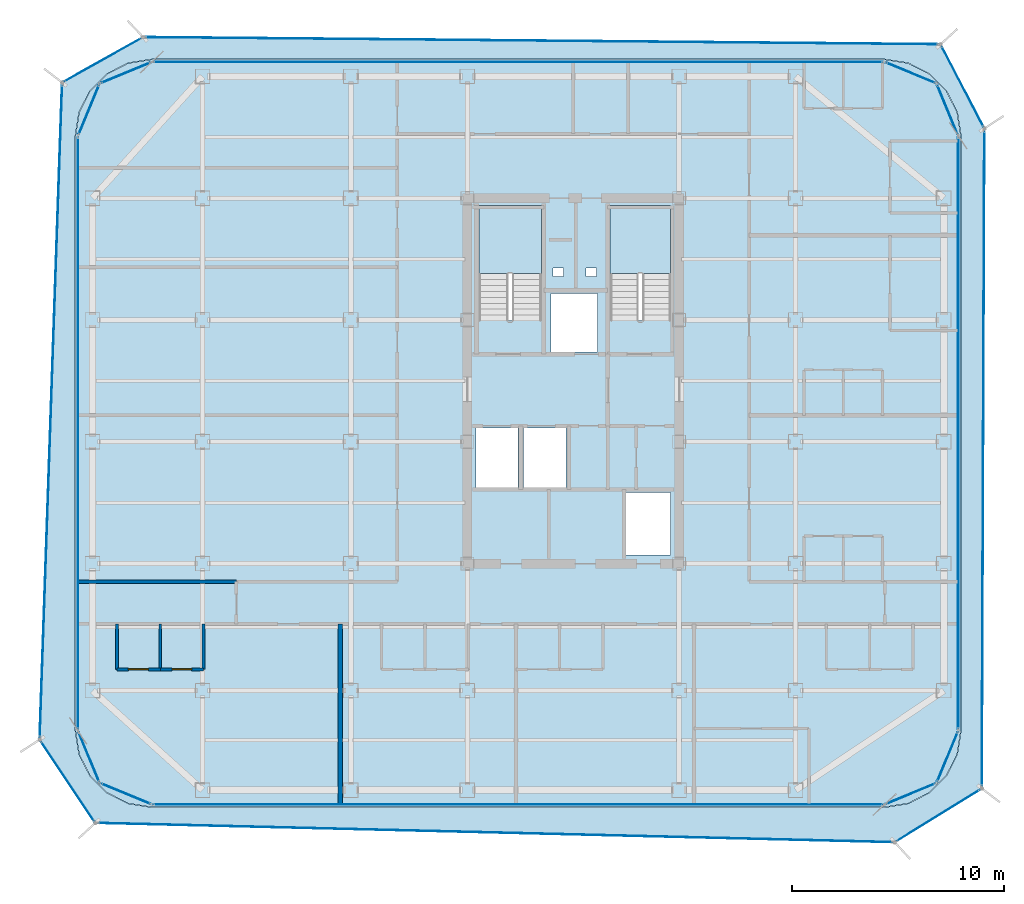
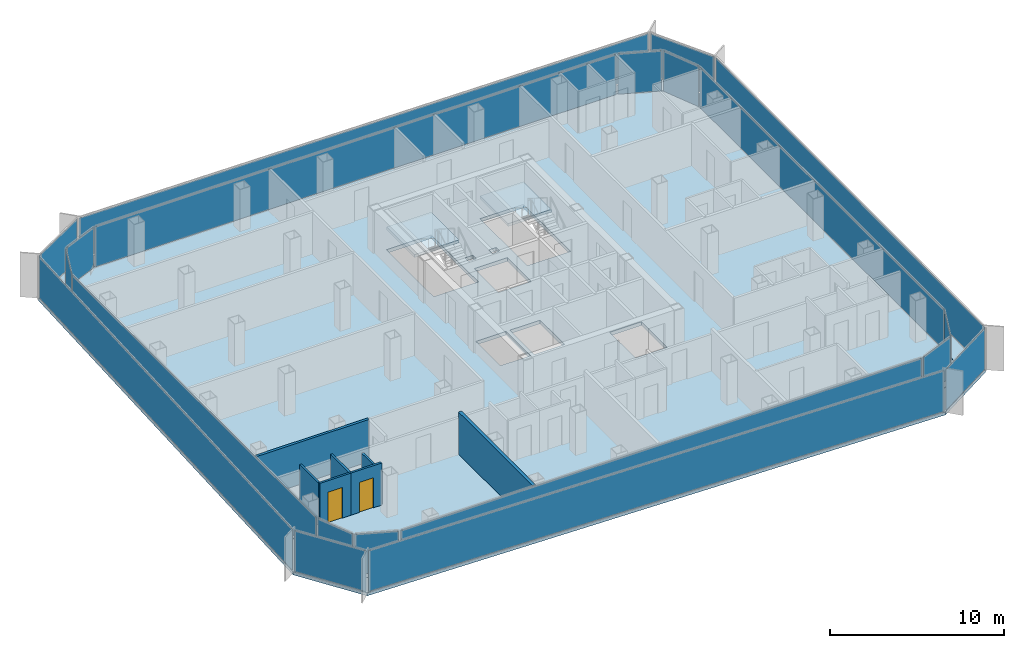
# One storey, part 9 of 15: 20 plates, 7 walls, 4 slabs, 2 doors, 2 openings, 22 elements without a shape of their own.
"""IFC4 building model written with IfcOpenShell, lengths in metres."""

from ifc_helpers import new_model, si_unit, direction, frame, frame_2d, origin, origin_2d, place, context, subcontext, project, spatial, polyline, rectangle, outline, extrude, source, transform, mapped, material, layer, layer_set, type_object, element, fill, aggregate, save


model = new_model("IFC4")

# Units and contexts
model_context = context("Model", 3, precision=1e-05, world=origin(), true_north=direction((0.0, 1.0)))
body_context = subcontext(model_context, "Body", "Model", "MODEL_VIEW")
ifc_project = project(units=[si_unit("LENGTHUNIT", "METRE"), si_unit("AREAUNIT", "SQUARE_METRE"), si_unit("VOLUMEUNIT", "CUBIC_METRE"), si_unit("PLANEANGLEUNIT", "RADIAN"), si_unit("MASSUNIT", "GRAM", prefix="KILO")], contexts=[model_context])

# Site, building, storey
site_placement = place(None, origin())
site = spatial("IfcSite", under=ifc_project, at=site_placement, CompositionType="ELEMENT")
building_placement = place(site_placement, origin())
building = spatial("IfcBuilding", under=site, at=building_placement, Name="Kolveth Station Tower", CompositionType="ELEMENT")
storey_placement = place(building_placement, frame((0.0, 0.0, 165.699951171875)))
storey = spatial("IfcBuildingStorey", under=building, at=storey_placement, Name="L46", CompositionType="ELEMENT", Elevation=165.699951171875)

# Slab
ifc_material_1 = material(Name="Concrete C40/50", Category="concrete")
ifc_layer_1 = layer(ifc_material_1, 0.25)
ifc_layer_set_1 = layer_set([ifc_layer_1], Name="Concrete C40/50")
slab_type_1 = type_object("IfcSlabType", Name="Slab_SF-250", PredefinedType="FLOOR", material=ifc_layer_set_1)
slab_1_placement = place(storey_placement, frame((0.0, 0.0, -0.25)))
element("IfcSlab", 1, at=slab_1_placement, inside=storey, type_object=slab_type_1, Name="L46 Tower Structural Floor Slab", PredefinedType="FLOOR", context=body_context, shape_type="SweptSolid", body=[
    extrude(outline(polyline([(38.199951171875, 0.0), (39.3125, 0.17626953125), (40.31591796875, 0.6875), (41.112548828125, 1.48388671875), (41.623779296875, 2.487548828125), (41.800048828125, 3.60009765625), (41.800048828125, 31.699951171875), (41.623779296875, 32.8125), (41.112548828125, 33.81591796875), (40.31591796875, 34.612548828125), (39.3125, 35.123779296875), (38.199951171875, 35.300048828125), (3.60009765625, 35.300048828125), (2.487548828125, 35.123779296875), (1.48388671875, 34.612548828125), (0.6875, 33.81591796875), (0.17626953125, 32.8125), (0.0, 31.699951171875), (0.0, 3.60009765625), (0.17626953125, 2.487548828125), (0.6875, 1.48388671875), (1.48388671875, 0.6875), (2.487548828125, 0.17626953125), (3.60009765625, 0.0), (38.199951171875, 0.0)]), holes=[polyline([(19.0400390625, 22.985107421875), (22.0, 22.985107421875), (22.0, 28.39990234375), (19.0400390625, 28.39990234375), (19.0400390625, 22.985107421875)]), polyline([(25.239990234375, 22.985107421875), (28.10009765625, 22.985107421875), (28.10009765625, 28.39990234375), (25.239990234375, 28.39990234375), (25.239990234375, 22.985107421875)]), polyline([(18.89990234375, 15.10009765625), (20.89990234375, 15.10009765625), (20.89990234375, 17.89990234375), (18.89990234375, 17.89990234375), (18.89990234375, 15.10009765625)]), polyline([(21.14990234375, 15.10009765625), (23.14990234375, 15.10009765625), (23.14990234375, 17.89990234375), (21.14990234375, 17.89990234375), (21.14990234375, 15.10009765625)]), polyline([(22.449951171875, 21.5), (24.64990234375, 21.5), (24.64990234375, 24.25), (22.449951171875, 24.25), (22.449951171875, 21.5)]), polyline([(26.0, 11.89990234375), (28.10009765625, 11.89990234375), (28.10009765625, 14.85009765625), (26.0, 14.85009765625), (26.0, 11.89990234375)]), polyline([(22.550048828125, 25.050048828125), (23.050048828125, 25.050048828125), (23.050048828125, 25.449951171875), (22.550048828125, 25.449951171875), (22.550048828125, 25.050048828125)]), polyline([(24.10009765625, 25.050048828125), (24.60009765625, 25.050048828125), (24.60009765625, 25.449951171875), (24.10009765625, 25.449951171875), (24.10009765625, 25.050048828125)])]), origin(), (0.0, 0.0, 1.0), 0.25),
])

# Stair, slab
stair_type_1 = type_object("IfcStairType", Name="Stair_ST2", PredefinedType="HALF_TURN_STAIR", material=ifc_material_1)
stair_1_placement = place(storey_placement, origin())
stair_1 = element("IfcStair", 2, at=stair_1_placement, inside=storey, type_object=stair_type_1, Name="L46 Tower Exit Stair ST2", PredefinedType="HALF_TURN_STAIR")
ifc_layer_2 = layer(ifc_material_1, 0.18994140625)
ifc_layer_set_2 = layer_set([ifc_layer_2], Name="Concrete C40/50")
slab_type_2 = type_object("IfcSlabType", Name="Slab_SL-190", PredefinedType="LANDING", material=ifc_layer_set_2)
slab_2_placement = place(storey_placement, frame((0.0, 0.0, 1.400146484375)))
slab_2 = element("IfcSlab", 3, at=slab_2_placement, type_object=slab_type_2, Name="ST2 landing 1", PredefinedType="LANDING", context=body_context, shape_type="SweptSolid", body=[
    extrude(outline(polyline([(28.10009765625, 25.18994140625), (28.10009765625, 28.39990234375), (25.239990234375, 28.39990234375), (25.239990234375, 25.18994140625), (28.10009765625, 25.18994140625)])), origin(), (0.0, 0.0, 1.0), 0.199951171875),
])
aggregate(stair_1, [slab_2])

stair_type_2 = type_object("IfcStairType", Name="Stair_ST1", PredefinedType="HALF_TURN_STAIR", material=ifc_material_1)
stair_2_placement = place(storey_placement, origin())
stair_2 = element("IfcStair", 4, at=stair_2_placement, inside=storey, type_object=stair_type_2, Name="L46 Tower Exit Stair ST1", PredefinedType="HALF_TURN_STAIR")
ifc_layer_3 = layer(ifc_material_1, 0.205078125)
ifc_layer_set_3 = layer_set([ifc_layer_3], Name="Concrete C40/50")
slab_type_3 = type_object("IfcSlabType", Name="Slab_SL-205", PredefinedType="LANDING", material=ifc_layer_set_3)
slab_3_placement = place(storey_placement, frame((0.0, 0.0, 1.400146484375)))
slab_3 = element("IfcSlab", 5, at=slab_3_placement, type_object=slab_type_3, Name="ST1 landing 1", PredefinedType="LANDING", context=body_context, shape_type="SweptSolid", body=[
    extrude(outline(polyline([(22.0, 25.18994140625), (22.0, 28.39990234375), (19.0400390625, 28.39990234375), (19.0400390625, 25.18994140625), (22.0, 25.18994140625)])), origin(), (0.0, 0.0, 1.0), 0.199951171875),
])
aggregate(stair_2, [slab_3])

# Slab
ifc_layer_4 = layer(ifc_material_1, 0.2099609375)
ifc_layer_set_4 = layer_set([ifc_layer_4], Name="Concrete C40/50")
slab_type_4 = type_object("IfcSlabType", Name="Slab_ST-210", PredefinedType="FLOOR", material=ifc_layer_set_4)
slab_4_placement = place(storey_placement, frame((0.0, 0.0, -0.2099609375)))
element("IfcSlab", 6, at=slab_4_placement, inside=storey, type_object=slab_type_4, Name="L46 Double-Skin Cavity Structural Ledger Ring", PredefinedType="FLOOR", context=body_context, shape_type="SweptSolid", body=[
    extrude(outline(polyline([(0.93408203125, -0.74951171875), (-1.692626953125, 3.1845703125), (-0.63037109375, 34.2109375), (3.19482421875, 36.3544921875), (40.847412109375, 36.01708984375), (42.916015625, 32.04345703125), (42.796142578125, 0.87890625), (38.679931640625, -1.661376953125), (0.93408203125, -0.74951171875)]), holes=[polyline([(38.202392578125, -0.014892578125), (39.314697265625, 0.161376953125), (39.3193359375, 0.162841796875), (40.32275390625, 0.674072265625), (40.32666015625, 0.677001953125), (41.123046875, 1.473388671875), (41.1259765625, 1.477294921875), (41.63720703125, 2.480712890625), (41.638671875, 2.485107421875), (41.814697265625, 3.59765625), (41.81494140625, 3.60009765625), (41.81494140625, 31.699951171875), (41.814697265625, 31.702392578125), (41.638671875, 32.814697265625), (41.63720703125, 32.8193359375), (41.1259765625, 33.82275390625), (41.123046875, 33.82666015625), (40.32666015625, 34.623046875), (40.32275390625, 34.6259765625), (39.3193359375, 35.13720703125), (39.314697265625, 35.138671875), (38.202392578125, 35.314697265625), (38.199951171875, 35.31494140625), (3.60009765625, 35.31494140625), (3.59765625, 35.314697265625), (2.485107421875, 35.138671875), (2.480712890625, 35.13720703125), (1.477294921875, 34.6259765625), (1.473388671875, 34.623046875), (0.677001953125, 33.82666015625), (0.674072265625, 33.82275390625), (0.162841796875, 32.8193359375), (0.161376953125, 32.814697265625), (-0.014892578125, 31.702392578125), (-0.014892578125, 31.699951171875), (-0.014892578125, 3.60009765625), (-0.014892578125, 3.59765625), (0.161376953125, 2.485107421875), (0.162841796875, 2.480712890625), (0.674072265625, 1.477294921875), (0.677001953125, 1.473388671875), (1.473388671875, 0.677001953125), (1.477294921875, 0.674072265625), (2.480712890625, 0.162841796875), (2.485107421875, 0.161376953125), (3.59765625, -0.014892578125), (3.60009765625, -0.014892578125), (38.199951171875, -0.014892578125), (38.202392578125, -0.014892578125)])]), origin(), (0.0, 0.0, 1.0), 0.2099609375),
])

# Curtain wall, plate
ifc_material_2 = material(Name="Aluminium 6063-T6 and low-E dark glass", Category="aluminium")
ifc_layer_5 = layer(ifc_material_2, 0.18994140625)
ifc_layer_set_5 = layer_set([ifc_layer_5], Name="Aluminium 6063-T6 and low-E dark glass")
curtain_wall_type_1 = type_object("IfcCurtainWallType", Name="CurtainWall_CW-Z2", PredefinedType="NOTDEFINED", material=ifc_layer_set_5)
curtain_wall_1_placement = place(storey_placement, origin())
curtain_wall_1 = element("IfcCurtainWall", 7, at=curtain_wall_1_placement, inside=storey, type_object=curtain_wall_type_1, Name="L46 Inner Thermal Curtain Wall 1", PredefinedType="NOTDEFINED")
ifc_material_3 = material(Name="Architectural low-E dark glass", Category="glass")
ifc_layer_6 = layer(ifc_material_3, 0.0380859375)
ifc_layer_set_6 = layer_set([ifc_layer_6], Name="Architectural low-E dark glass")
plate_type_1 = type_object("IfcPlateType", Name="Panel_GL2", PredefinedType="CURTAIN_PANEL", material=ifc_layer_set_6)
shared_shape_1 = source(origin(), body_context, "Body", "SweptSolid", [
    extrude(rectangle(XDim=2.517578125, YDim=0.0380859375, at=origin_2d()), origin(), (0.0, 0.0, 1.0), 2.803955078125),
])
plate_1_placement = place(storey_placement, frame((39.430419921875, 0.629638671875, 0.0732421875), z_axis=(0.0, 0.0, 1.0), x_axis=(0.923873600544, 0.382697753087, 0.0)))
plate_1 = element("IfcPlate", 8, at=plate_1_placement, type_object=plate_type_1, Name="CW-Z2 panel 1.1", PredefinedType="CURTAIN_PANEL", context=body_context, shape_type="MappedRepresentation", body=[
    mapped(shared_shape_1, transform((0.0, 0.0, 0.0), x_axis=(1.0, 0.0, 0.0), y_axis=(0.0, 1.0, 0.0), z_axis=(0.0, 0.0, 1.0), scale=1.0)),
])
aggregate(curtain_wall_1, [plate_1])

curtain_wall_2_placement = place(storey_placement, origin())
curtain_wall_2 = element("IfcCurtainWall", 9, at=curtain_wall_2_placement, inside=storey, type_object=curtain_wall_type_1, Name="L46 Inner Thermal Curtain Wall 2", PredefinedType="NOTDEFINED")
plate_2_placement = place(storey_placement, frame((41.17041015625, 2.36962890625, 0.0732421875), z_axis=(0.0, 0.0, 1.0), x_axis=(0.382697753087, 0.923873600544, 0.0)))
plate_2 = element("IfcPlate", 10, at=plate_2_placement, type_object=plate_type_1, Name="CW-Z2 panel 1.1", PredefinedType="CURTAIN_PANEL", context=body_context, shape_type="MappedRepresentation", body=[
    mapped(shared_shape_1, transform((0.0, 0.0, 0.0), x_axis=(1.0, 0.0, 0.0), y_axis=(0.0, 1.0, 0.0), z_axis=(0.0, 0.0, 1.0), scale=1.0)),
])
aggregate(curtain_wall_2, [plate_2])

curtain_wall_3_placement = place(storey_placement, origin())
curtain_wall_3 = element("IfcCurtainWall", 11, at=curtain_wall_3_placement, inside=storey, type_object=curtain_wall_type_1, Name="L46 Inner Thermal Curtain Wall 4", PredefinedType="NOTDEFINED")
plate_3_placement = place(storey_placement, frame((41.17041015625, 32.930419921875, 0.0732421875), z_axis=(0.0, 0.0, 1.0), x_axis=(-0.382697753087, 0.923873600544, 0.0)))
plate_3 = element("IfcPlate", 12, at=plate_3_placement, type_object=plate_type_1, Name="CW-Z2 panel 1.1", PredefinedType="CURTAIN_PANEL", context=body_context, shape_type="MappedRepresentation", body=[
    mapped(shared_shape_1, transform((0.0, 0.0, 0.0), x_axis=(1.0, 0.0, 0.0), y_axis=(0.0, 1.0, 0.0), z_axis=(0.0, 0.0, 1.0), scale=1.0)),
])
aggregate(curtain_wall_3, [plate_3])

curtain_wall_4_placement = place(storey_placement, origin())
curtain_wall_4 = element("IfcCurtainWall", 13, at=curtain_wall_4_placement, inside=storey, type_object=curtain_wall_type_1, Name="L46 Inner Thermal Curtain Wall 5", PredefinedType="NOTDEFINED")
plate_4_placement = place(storey_placement, frame((39.430419921875, 34.67041015625, 0.0732421875), z_axis=(0.0, 0.0, 1.0), x_axis=(-0.923873600544, 0.382697753087, 0.0)))
plate_4 = element("IfcPlate", 14, at=plate_4_placement, type_object=plate_type_1, Name="CW-Z2 panel 1.1", PredefinedType="CURTAIN_PANEL", context=body_context, shape_type="MappedRepresentation", body=[
    mapped(shared_shape_1, transform((0.0, 0.0, 0.0), x_axis=(1.0, 0.0, 0.0), y_axis=(0.0, 1.0, 0.0), z_axis=(0.0, 0.0, 1.0), scale=1.0)),
])
aggregate(curtain_wall_4, [plate_4])

curtain_wall_5_placement = place(storey_placement, origin())
curtain_wall_5 = element("IfcCurtainWall", 15, at=curtain_wall_5_placement, inside=storey, type_object=curtain_wall_type_1, Name="L46 Inner Thermal Curtain Wall 7", PredefinedType="NOTDEFINED")
plate_5_placement = place(storey_placement, frame((2.36962890625, 34.67041015625, 0.0732421875), z_axis=(0.0, 0.0, 1.0), x_axis=(-0.923873600544, -0.382697753087, 0.0)))
plate_5 = element("IfcPlate", 16, at=plate_5_placement, type_object=plate_type_1, Name="CW-Z2 panel 1.1", PredefinedType="CURTAIN_PANEL", context=body_context, shape_type="MappedRepresentation", body=[
    mapped(shared_shape_1, transform((0.0, 0.0, 0.0), x_axis=(1.0, 0.0, 0.0), y_axis=(0.0, 1.0, 0.0), z_axis=(0.0, 0.0, 1.0), scale=1.0)),
])
aggregate(curtain_wall_5, [plate_5])

curtain_wall_6_placement = place(storey_placement, origin())
curtain_wall_6 = element("IfcCurtainWall", 17, at=curtain_wall_6_placement, inside=storey, type_object=curtain_wall_type_1, Name="L46 Inner Thermal Curtain Wall 8", PredefinedType="NOTDEFINED")
plate_6_placement = place(storey_placement, frame((0.629638671875, 32.930419921875, 0.0732421875), z_axis=(0.0, 0.0, 1.0), x_axis=(-0.382697753087, -0.923873600544, 0.0)))
plate_6 = element("IfcPlate", 18, at=plate_6_placement, type_object=plate_type_1, Name="CW-Z2 panel 1.1", PredefinedType="CURTAIN_PANEL", context=body_context, shape_type="MappedRepresentation", body=[
    mapped(shared_shape_1, transform((0.0, 0.0, 0.0), x_axis=(1.0, 0.0, 0.0), y_axis=(0.0, 1.0, 0.0), z_axis=(0.0, 0.0, 1.0), scale=1.0)),
])
aggregate(curtain_wall_6, [plate_6])

curtain_wall_7_placement = place(storey_placement, origin())
curtain_wall_7 = element("IfcCurtainWall", 19, at=curtain_wall_7_placement, inside=storey, type_object=curtain_wall_type_1, Name="L46 Inner Thermal Curtain Wall 10", PredefinedType="NOTDEFINED")
plate_7_placement = place(storey_placement, frame((0.629638671875, 2.36962890625, 0.0732421875), z_axis=(0.0, 0.0, 1.0), x_axis=(0.382697753087, -0.923873600544, 0.0)))
plate_7 = element("IfcPlate", 20, at=plate_7_placement, type_object=plate_type_1, Name="CW-Z2 panel 1.1", PredefinedType="CURTAIN_PANEL", context=body_context, shape_type="MappedRepresentation", body=[
    mapped(shared_shape_1, transform((0.0, 0.0, 0.0), x_axis=(1.0, 0.0, 0.0), y_axis=(0.0, 1.0, 0.0), z_axis=(0.0, 0.0, 1.0), scale=1.0)),
])
aggregate(curtain_wall_7, [plate_7])

curtain_wall_8_placement = place(storey_placement, origin())
curtain_wall_8 = element("IfcCurtainWall", 21, at=curtain_wall_8_placement, inside=storey, type_object=curtain_wall_type_1, Name="L46 Inner Thermal Curtain Wall 11", PredefinedType="NOTDEFINED")
plate_8_placement = place(storey_placement, frame((2.36962890625, 0.629638671875, 0.0732421875), z_axis=(0.0, 0.0, 1.0), x_axis=(0.923873600544, -0.382697753087, 0.0)))
plate_8 = element("IfcPlate", 22, at=plate_8_placement, type_object=plate_type_1, Name="CW-Z2 panel 1.1", PredefinedType="CURTAIN_PANEL", context=body_context, shape_type="MappedRepresentation", body=[
    mapped(shared_shape_1, transform((0.0, 0.0, 0.0), x_axis=(1.0, 0.0, 0.0), y_axis=(0.0, 1.0, 0.0), z_axis=(0.0, 0.0, 1.0), scale=1.0)),
])
aggregate(curtain_wall_8, [plate_8])

curtain_wall_9_placement = place(storey_placement, origin())
curtain_wall_9 = element("IfcCurtainWall", 23, at=curtain_wall_9_placement, inside=storey, type_object=curtain_wall_type_1, Name="L46 Inner Thermal Curtain Wall 3", PredefinedType="NOTDEFINED")
shared_shape_2 = source(origin(), body_context, "Body", "SweptSolid", [
    extrude(rectangle(XDim=27.9541015625, YDim=0.0380859375, at=origin_2d()), origin(), (0.0, 0.0, 1.0), 2.803955078125),
])
plate_9_placement = place(storey_placement, frame((41.679931640625, 17.64990234375, 0.0732421875), z_axis=(0.0, 0.0, 1.0), x_axis=(0.0, 1.0, 0.0)))
plate_9 = element("IfcPlate", 24, at=plate_9_placement, type_object=plate_type_1, Name="CW-Z2 panel 1.1", PredefinedType="CURTAIN_PANEL", context=body_context, shape_type="MappedRepresentation", body=[
    mapped(shared_shape_2, transform((0.0, 0.0, 0.0), x_axis=(1.0, 0.0, 0.0), y_axis=(0.0, 1.0, 0.0), z_axis=(0.0, 0.0, 1.0), scale=1.0)),
])
aggregate(curtain_wall_9, [plate_9])

curtain_wall_10_placement = place(storey_placement, origin())
curtain_wall_10 = element("IfcCurtainWall", 25, at=curtain_wall_10_placement, inside=storey, type_object=curtain_wall_type_1, Name="L46 Inner Thermal Curtain Wall 9", PredefinedType="NOTDEFINED")
plate_10_placement = place(storey_placement, frame((0.1201171875, 17.64990234375, 0.0732421875), z_axis=(0.0, 0.0, 1.0), x_axis=(0.0, -1.0, 0.0)))
plate_10 = element("IfcPlate", 26, at=plate_10_placement, type_object=plate_type_1, Name="CW-Z2 panel 1.1", PredefinedType="CURTAIN_PANEL", context=body_context, shape_type="MappedRepresentation", body=[
    mapped(shared_shape_2, transform((0.0, 0.0, 0.0), x_axis=(1.0, 0.0, 0.0), y_axis=(0.0, 1.0, 0.0), z_axis=(0.0, 0.0, 1.0), scale=1.0)),
])
aggregate(curtain_wall_10, [plate_10])

curtain_wall_11_placement = place(storey_placement, origin())
curtain_wall_11 = element("IfcCurtainWall", 27, at=curtain_wall_11_placement, inside=storey, type_object=curtain_wall_type_1, Name="L46 Inner Thermal Curtain Wall 6", PredefinedType="NOTDEFINED")
shared_shape_3 = source(origin(), body_context, "Body", "SweptSolid", [
    extrude(rectangle(XDim=34.4541015625, YDim=0.0380859375, at=origin_2d()), origin(), (0.0, 0.0, 1.0), 2.803955078125),
])
plate_11_placement = place(storey_placement, frame((20.89990234375, 35.179931640625, 0.0732421875), z_axis=(0.0, 0.0, 1.0), x_axis=(-1.0, 0.0, 0.0)))
plate_11 = element("IfcPlate", 28, at=plate_11_placement, type_object=plate_type_1, Name="CW-Z2 panel 1.1", PredefinedType="CURTAIN_PANEL", context=body_context, shape_type="MappedRepresentation", body=[
    mapped(shared_shape_3, transform((0.0, 0.0, 0.0), x_axis=(1.0, 0.0, 0.0), y_axis=(0.0, 1.0, 0.0), z_axis=(0.0, 0.0, 1.0), scale=1.0)),
])
aggregate(curtain_wall_11, [plate_11])

curtain_wall_12_placement = place(storey_placement, origin())
curtain_wall_12 = element("IfcCurtainWall", 29, at=curtain_wall_12_placement, inside=storey, type_object=curtain_wall_type_1, Name="L46 Inner Thermal Curtain Wall 12", PredefinedType="NOTDEFINED")
plate_12_placement = place(storey_placement, frame((20.89990234375, 0.1201171875, 0.0732421875), z_axis=(0.0, 0.0, 1.0), x_axis=(1.0, 0.0, 0.0)))
plate_12 = element("IfcPlate", 30, at=plate_12_placement, type_object=plate_type_1, Name="CW-Z2 panel 1.1", PredefinedType="CURTAIN_PANEL", context=body_context, shape_type="MappedRepresentation", body=[
    mapped(shared_shape_3, transform((0.0, 0.0, 0.0), x_axis=(1.0, 0.0, 0.0), y_axis=(0.0, 1.0, 0.0), z_axis=(0.0, 0.0, 1.0), scale=1.0)),
])
aggregate(curtain_wall_12, [plate_12])

ifc_material_4 = material(Name="Black anodized aluminium 6063-T6 and dark solar glass", Category="aluminium")
ifc_layer_7 = layer(ifc_material_4, 0.159912109375)
ifc_layer_set_7 = layer_set([ifc_layer_7], Name="Black anodized aluminium 6063-T6 and dark solar glass")
curtain_wall_type_2 = type_object("IfcCurtainWallType", Name="OUTER SKIN CW-OS", PredefinedType="NOTDEFINED", material=ifc_layer_set_7)
curtain_wall_13_placement = place(storey_placement, origin())
curtain_wall_13 = element("IfcCurtainWall", 31, at=curtain_wall_13_placement, inside=storey, type_object=curtain_wall_type_2, Name="L46 Outer Ventilated Skin Curtain Wall 1", PredefinedType="NOTDEFINED")
ifc_layer_8 = layer(ifc_material_3, 0.028076171875)
ifc_layer_set_8 = layer_set([ifc_layer_8], Name="Architectural low-E dark glass")
plate_type_2 = type_object("IfcPlateType", Name="Panel_GL-OS", PredefinedType="CURTAIN_PANEL", material=ifc_layer_set_8)
shared_shape_4 = source(origin(), body_context, "Body", "SweptSolid", [
    extrude(rectangle(XDim=4.6708984375, YDim=0.028076171875, at=origin_2d()), origin(), (0.0, 0.0, 1.0), 2.843994140625),
])
plate_13_placement = place(storey_placement, frame((40.738037109375, -0.39111328125, 0.0732421875), z_axis=(0.0, 0.0, 1.0), x_axis=(0.850993944051, 0.525175501322, 0.0)))
plate_13 = element("IfcPlate", 32, at=plate_13_placement, type_object=plate_type_2, Name="CW-OS panel 1.1", PredefinedType="CURTAIN_PANEL", context=body_context, shape_type="MappedRepresentation", body=[
    mapped(shared_shape_4, transform((0.0, 0.0, 0.0), x_axis=(1.0, 0.0, 0.0), y_axis=(0.0, 1.0, 0.0), z_axis=(0.0, 0.0, 1.0), scale=1.0)),
])
aggregate(curtain_wall_13, [plate_13])

curtain_wall_14_placement = place(storey_placement, origin())
curtain_wall_14 = element("IfcCurtainWall", 33, at=curtain_wall_14_placement, inside=storey, type_object=curtain_wall_type_2, Name="L46 Outer Ventilated Skin Curtain Wall 2", PredefinedType="NOTDEFINED")
shared_shape_5 = source(origin(), body_context, "Body", "SweptSolid", [
    extrude(rectangle(XDim=30.998779296875, YDim=0.028076171875, at=origin_2d()), origin(), (0.0, 0.0, 1.0), 2.843994140625),
])
plate_14_placement = place(storey_placement, frame((42.856201171875, 16.461181640625, 0.0732421875), z_axis=(0.0, 0.0, 1.0), x_axis=(0.003844089101, 0.999992611462, 0.0)))
plate_14 = element("IfcPlate", 34, at=plate_14_placement, type_object=plate_type_2, Name="CW-OS panel 1.1", PredefinedType="CURTAIN_PANEL", context=body_context, shape_type="MappedRepresentation", body=[
    mapped(shared_shape_5, transform((0.0, 0.0, 0.0), x_axis=(1.0, 0.0, 0.0), y_axis=(0.0, 1.0, 0.0), z_axis=(0.0, 0.0, 1.0), scale=1.0)),
])
aggregate(curtain_wall_14, [plate_14])

curtain_wall_15_placement = place(storey_placement, origin())
curtain_wall_15 = element("IfcCurtainWall", 35, at=curtain_wall_15_placement, inside=storey, type_object=curtain_wall_type_2, Name="L46 Outer Ventilated Skin Curtain Wall 3", PredefinedType="NOTDEFINED")
shared_shape_6 = source(origin(), body_context, "Body", "SweptSolid", [
    extrude(rectangle(XDim=4.313720703125, YDim=0.028076171875, at=origin_2d()), origin(), (0.0, 0.0, 1.0), 2.843994140625),
])
plate_15_placement = place(storey_placement, frame((41.8818359375, 34.0302734375, 0.0732421875), z_axis=(0.0, 0.0, 1.0), x_axis=(-0.461744181672, 0.88701314009, 0.0)))
plate_15 = element("IfcPlate", 36, at=plate_15_placement, type_object=plate_type_2, Name="CW-OS panel 1.1", PredefinedType="CURTAIN_PANEL", context=body_context, shape_type="MappedRepresentation", body=[
    mapped(shared_shape_6, transform((0.0, 0.0, 0.0), x_axis=(1.0, 0.0, 0.0), y_axis=(0.0, 1.0, 0.0), z_axis=(0.0, 0.0, 1.0), scale=1.0)),
])
aggregate(curtain_wall_15, [plate_15])

curtain_wall_16_placement = place(storey_placement, origin())
curtain_wall_16 = element("IfcCurtainWall", 37, at=curtain_wall_16_placement, inside=storey, type_object=curtain_wall_type_2, Name="L46 Outer Ventilated Skin Curtain Wall 4", PredefinedType="NOTDEFINED")
shared_shape_7 = source(origin(), body_context, "Body", "SweptSolid", [
    extrude(rectangle(XDim=37.488037109375, YDim=0.028076171875, at=origin_2d()), origin(), (0.0, 0.0, 1.0), 2.843994140625),
])
plate_16_placement = place(storey_placement, frame((22.021240234375, 36.185791015625, 0.0732421875), z_axis=(0.0, 0.0, 1.0), x_axis=(-0.999959853835, 0.008960508835, 0.0)))
plate_16 = element("IfcPlate", 38, at=plate_16_placement, type_object=plate_type_2, Name="CW-OS panel 1.1", PredefinedType="CURTAIN_PANEL", context=body_context, shape_type="MappedRepresentation", body=[
    mapped(shared_shape_7, transform((0.0, 0.0, 0.0), x_axis=(1.0, 0.0, 0.0), y_axis=(0.0, 1.0, 0.0), z_axis=(0.0, 0.0, 1.0), scale=1.0)),
])
aggregate(curtain_wall_16, [plate_16])

curtain_wall_17_placement = place(storey_placement, origin())
curtain_wall_17 = element("IfcCurtainWall", 39, at=curtain_wall_17_placement, inside=storey, type_object=curtain_wall_type_2, Name="L46 Outer Ventilated Skin Curtain Wall 5", PredefinedType="NOTDEFINED")
shared_shape_8 = source(origin(), body_context, "Body", "SweptSolid", [
    extrude(rectangle(XDim=4.218994140625, YDim=0.028076171875, at=origin_2d()), origin(), (0.0, 0.0, 1.0), 2.843994140625),
])
plate_17_placement = place(storey_placement, frame((1.2822265625, 35.28271484375, 0.0732421875), z_axis=(0.0, 0.0, 1.0), x_axis=(-0.872366760567, -0.488851956177, 0.0)))
plate_17 = element("IfcPlate", 40, at=plate_17_placement, type_object=plate_type_2, Name="CW-OS panel 1.1", PredefinedType="CURTAIN_PANEL", context=body_context, shape_type="MappedRepresentation", body=[
    mapped(shared_shape_8, transform((0.0, 0.0, 0.0), x_axis=(1.0, 0.0, 0.0), y_axis=(0.0, 1.0, 0.0), z_axis=(0.0, 0.0, 1.0), scale=1.0)),
])
aggregate(curtain_wall_17, [plate_17])

curtain_wall_18_placement = place(storey_placement, origin())
curtain_wall_18 = element("IfcCurtainWall", 41, at=curtain_wall_18_placement, inside=storey, type_object=curtain_wall_type_2, Name="L46 Outer Ventilated Skin Curtain Wall 6", PredefinedType="NOTDEFINED")
shared_shape_9 = source(origin(), body_context, "Body", "SweptSolid", [
    extrude(rectangle(XDim=30.878662109375, YDim=0.028076171875, at=origin_2d()), origin(), (0.0, 0.0, 1.0), 2.843994140625),
])
plate_18_placement = place(storey_placement, frame((-1.16162109375, 18.69775390625, 0.0732421875), z_axis=(0.0, 0.0, 1.0), x_axis=(-0.034218532929, -0.999414374524, 0.0)))
plate_18 = element("IfcPlate", 42, at=plate_18_placement, type_object=plate_type_2, Name="CW-OS panel 1.1", PredefinedType="CURTAIN_PANEL", context=body_context, shape_type="MappedRepresentation", body=[
    mapped(shared_shape_9, transform((0.0, 0.0, 0.0), x_axis=(1.0, 0.0, 0.0), y_axis=(0.0, 1.0, 0.0), z_axis=(0.0, 0.0, 1.0), scale=1.0)),
])
aggregate(curtain_wall_18, [plate_18])

curtain_wall_19_placement = place(storey_placement, origin())
curtain_wall_19 = element("IfcCurtainWall", 43, at=curtain_wall_19_placement, inside=storey, type_object=curtain_wall_type_2, Name="L46 Outer Ventilated Skin Curtain Wall 7", PredefinedType="NOTDEFINED")
shared_shape_10 = source(origin(), body_context, "Body", "SweptSolid", [
    extrude(rectangle(XDim=4.564208984375, YDim=0.028076171875, at=origin_2d()), origin(), (0.0, 0.0, 1.0), 2.843994140625),
])
plate_19_placement = place(storey_placement, frame((-0.37939453125, 1.217529296875, 0.0732421875), z_axis=(0.0, 0.0, 1.0), x_axis=(0.55531474122, -0.831640269698, 0.0)))
plate_19 = element("IfcPlate", 44, at=plate_19_placement, type_object=plate_type_2, Name="CW-OS panel 1.1", PredefinedType="CURTAIN_PANEL", context=body_context, shape_type="MappedRepresentation", body=[
    mapped(shared_shape_10, transform((0.0, 0.0, 0.0), x_axis=(1.0, 0.0, 0.0), y_axis=(0.0, 1.0, 0.0), z_axis=(0.0, 0.0, 1.0), scale=1.0)),
])
aggregate(curtain_wall_19, [plate_19])

curtain_wall_20_placement = place(storey_placement, origin())
curtain_wall_20 = element("IfcCurtainWall", 45, at=curtain_wall_20_placement, inside=storey, type_object=curtain_wall_type_2, Name="L46 Outer Ventilated Skin Curtain Wall 8", PredefinedType="NOTDEFINED")
shared_shape_11 = source(origin(), body_context, "Body", "SweptSolid", [
    extrude(rectangle(XDim=37.5908203125, YDim=0.028076171875, at=origin_2d()), origin(), (0.0, 0.0, 1.0), 2.843994140625),
])
plate_20_placement = place(storey_placement, frame((19.806884765625, -1.205322265625, 0.0732421875), z_axis=(0.0, 0.0, 1.0), x_axis=(0.999708299543, -0.024151932097, 0.0)))
plate_20 = element("IfcPlate", 46, at=plate_20_placement, type_object=plate_type_2, Name="CW-OS panel 1.1", PredefinedType="CURTAIN_PANEL", context=body_context, shape_type="MappedRepresentation", body=[
    mapped(shared_shape_11, transform((0.0, 0.0, 0.0), x_axis=(1.0, 0.0, 0.0), y_axis=(0.0, 1.0, 0.0), z_axis=(0.0, 0.0, 1.0), scale=1.0)),
])
aggregate(curtain_wall_20, [plate_20])

# Wall, opening, door
ifc_material_5 = material(Name="Moisture-resistant gypsum partition")
ifc_layer_9 = layer(ifc_material_5, 0.135009765625)
ifc_layer_set_9 = layer_set([ifc_layer_9], Name="Moisture-resistant gypsum partition")
wall_type_1 = type_object("IfcWallType", Name="Wall_IW-135", PredefinedType="PARTITIONING", material=ifc_layer_set_9)
wall_1_placement = place(storey_placement, frame((1.949951171875, 6.5, 0.0), z_axis=(0.0, 0.0, 1.0), x_axis=(1.0, 0.0, 0.0)))
wall_1 = element("IfcWall", 47, at=wall_1_placement, inside=storey, type_object=wall_type_1, Name="L46 Partition Wall WL-L46-A1-IBHK", PredefinedType="PARTITIONING", context=body_context, shape_type="SweptSolid", body=[
    extrude(rectangle(XDim=2.050048828125, YDim=0.135009765625, at=frame_2d((1.02490234375, 0.0))), origin(), (0.0, 0.0, 1.0), 2.949951171875),
])
opening_1_placement = place(wall_1_placement, frame((0.544921875, 0.0, 0.0)))
opening_1 = element("IfcOpeningElement", 48, at=opening_1_placement, cuts=wall_1, Name="Opening ID1", PredefinedType="OPENING", context=body_context, shape_type="SweptSolid", body=[
    extrude(rectangle(XDim=0.949951171875, YDim=2.14990234375, at=frame_2d((0.47509765625, 1.074951171875))), frame((0.0, 0.077392578125, 0.0), z_axis=(0.0, -1.0, 0.0), x_axis=(1.0, 0.0, 0.0)), (0.0, 0.0, 1.0), 0.155029296875),
])
ifc_material_6 = material(Name="Acoustic hardwood leaf and aluminium frame", Category="wood")
door_type_1 = type_object("IfcDoorType", Name="Door_ID1", OperationType="NOTDEFINED", PredefinedType="DOOR", material=ifc_material_6)
door_1_placement = place(opening_1_placement, origin())
door_1 = element("IfcDoor", 49, at=door_1_placement, inside=storey, type_object=door_type_1, Name="Penthouse Flat L46-A1 Kitchen Door", OperationType="SINGLE_SWING_RIGHT", OverallHeight=2.14990234375, OverallWidth=0.949951171875, PredefinedType="DOOR", context=body_context, shape_type="SweptSolid", body=[
    extrude(rectangle(XDim=0.949951171875, YDim=2.14990234375, at=frame_2d((0.47509765625, 1.074951171875))), frame((0.0, 0.02490234375, 0.0), z_axis=(0.0, -1.0, 0.0), x_axis=(1.0, 0.0, 0.0)), (0.0, 0.0, 1.0), 0.050048828125),
])
fill(opening_1, door_1)

wall_2_placement = place(storey_placement, frame((4.0, 6.5, 0.0), z_axis=(0.0, 0.0, 1.0), x_axis=(1.0, 0.0, 0.0)))
wall_2 = element("IfcWall", 50, at=wall_2_placement, inside=storey, type_object=wall_type_1, Name="L46 Partition Wall WL-L46-A1-IBHB", PredefinedType="PARTITIONING", context=body_context, shape_type="SweptSolid", body=[
    extrude(rectangle(XDim=2.050048828125, YDim=0.135009765625, at=frame_2d((1.02490234375, 0.0))), origin(), (0.0, 0.0, 1.0), 2.949951171875),
])
opening_2_placement = place(wall_2_placement, frame((0.56494140625, 0.0, 0.0)))
opening_2 = element("IfcOpeningElement", 51, at=opening_2_placement, cuts=wall_2, Name="Opening ID2", PredefinedType="OPENING", context=body_context, shape_type="SweptSolid", body=[
    extrude(rectangle(XDim=0.919921875, YDim=2.10009765625, at=frame_2d((0.4599609375, 1.050048828125))), frame((0.0, 0.077392578125, 0.0), z_axis=(0.0, -1.0, 0.0), x_axis=(1.0, 0.0, 0.0)), (0.0, 0.0, 1.0), 0.155029296875),
])
ifc_material_7 = material(Name="Moisture-resistant hardwood leaf", Category="wood")
door_type_2 = type_object("IfcDoorType", Name="Door_ID2", OperationType="NOTDEFINED", PredefinedType="DOOR", material=ifc_material_7)
door_2_placement = place(opening_2_placement, origin())
door_2 = element("IfcDoor", 52, at=door_2_placement, inside=storey, type_object=door_type_2, Name="Penthouse Flat L46-A1 Bathroom Door", OperationType="SINGLE_SWING_LEFT", OverallHeight=2.10009765625, OverallWidth=0.919921875, PredefinedType="DOOR", context=body_context, shape_type="SweptSolid", body=[
    extrude(rectangle(XDim=0.919921875, YDim=2.10009765625, at=frame_2d((0.4599609375, 1.050048828125))), frame((0.0, 0.02490234375, 0.0), z_axis=(0.0, -1.0, 0.0), x_axis=(1.0, 0.0, 0.0)), (0.0, 0.0, 1.0), 0.050048828125),
])
fill(opening_2, door_2)

# Walls
for number, where, z_axis, x_axis, name in (
    (53, (1.949951171875, 6.5, 0.0), (0.0, 0.0, 1.0), (0.0, 1.0, 0.0), "L46 Partition Wall WL-L46-A1-IBV0"),
    (54, (4.0, 6.5, 0.0), (0.0, 0.0, 1.0), (0.0, 1.0, 0.0), "L46 Partition Wall WL-L46-A1-IBV1"),
):
    element("IfcWall", number, at=place(storey_placement, frame(where, z_axis=z_axis, x_axis=x_axis)), inside=storey, type_object=wall_type_1, Name=name, PredefinedType="PARTITIONING", context=body_context, shape_type="SweptSolid", body=[
        extrude(rectangle(XDim=2.14990234375, YDim=0.135009765625, at=frame_2d((1.074951171875, 0.0))), origin(), (0.0, 0.0, 1.0), 2.949951171875),
    ])
wall_3_placement = place(storey_placement, frame((6.050048828125, 6.5, 0.0), z_axis=(0.0, 0.0, 1.0), x_axis=(0.0, 1.0, 0.0)))
element("IfcWall", 55, at=wall_3_placement, inside=storey, type_object=wall_type_1, Name="L46 Partition Wall WL-L46-A1-IBV2", PredefinedType="PARTITIONING", context=body_context, shape_type="SweptSolid", body=[
    extrude(rectangle(XDim=2.14990234375, YDim=0.135009765625, at=frame_2d((1.074951171875, 0.0))), origin(), (0.0, 0.0, 1.0), 2.322998046875),
])
ifc_material_8 = material(Name="Acoustic double-stud gypsum partition")
ifc_layer_10 = layer(ifc_material_8, 0.1650390625)
ifc_layer_set_10 = layer_set([ifc_layer_10], Name="Acoustic double-stud gypsum partition")
wall_type_2 = type_object("IfcWallType", Name="Wall_IW-165", PredefinedType="PARTITIONING", material=ifc_layer_set_10)
wall_4_placement = place(storey_placement, frame((0.159912109375, 10.64990234375, 0.0), z_axis=(0.0, 0.0, 1.0), x_axis=(1.0, 0.0, 0.0)))
element("IfcWall", 56, at=wall_4_placement, inside=storey, type_object=wall_type_2, Name="L46 Partition Wall WL-L46-WSTN", PredefinedType="PARTITIONING", context=body_context, shape_type="SweptSolid", body=[
    extrude(rectangle(XDim=7.440185546875, YDim=0.1650390625, at=frame_2d((3.72021484375, 0.0))), origin(), (0.0, 0.0, 1.0), 2.949951171875),
])
ifc_material_9 = material(Name="Acoustic fire-rated gypsum blockwork", Category="masonry")
ifc_layer_11 = layer(ifc_material_9, 0.199951171875)
ifc_layer_set_11 = layer_set([ifc_layer_11], Name="Acoustic fire-rated gypsum blockwork")
wall_type_3 = type_object("IfcWallType", Name="Wall_IW-200", PredefinedType="PARTITIONING", material=ifc_layer_set_11)
wall_5_placement = place(storey_placement, frame((12.5, 0.159912109375, 0.0), z_axis=(0.0, 0.0, 1.0), x_axis=(0.0, 1.0, 0.0)))
element("IfcWall", 57, at=wall_5_placement, inside=storey, type_object=wall_type_3, Name="L46 Partition Wall WL-L46-RSU-1", PredefinedType="PARTITIONING", context=body_context, shape_type="SweptSolid", body=[
    extrude(rectangle(XDim=8.489990234375, YDim=0.199951171875, at=frame_2d((4.2451171875, 0.0))), origin(), (0.0, 0.0, 1.0), 2.949951171875),
])

save(model, "model.ifc")
